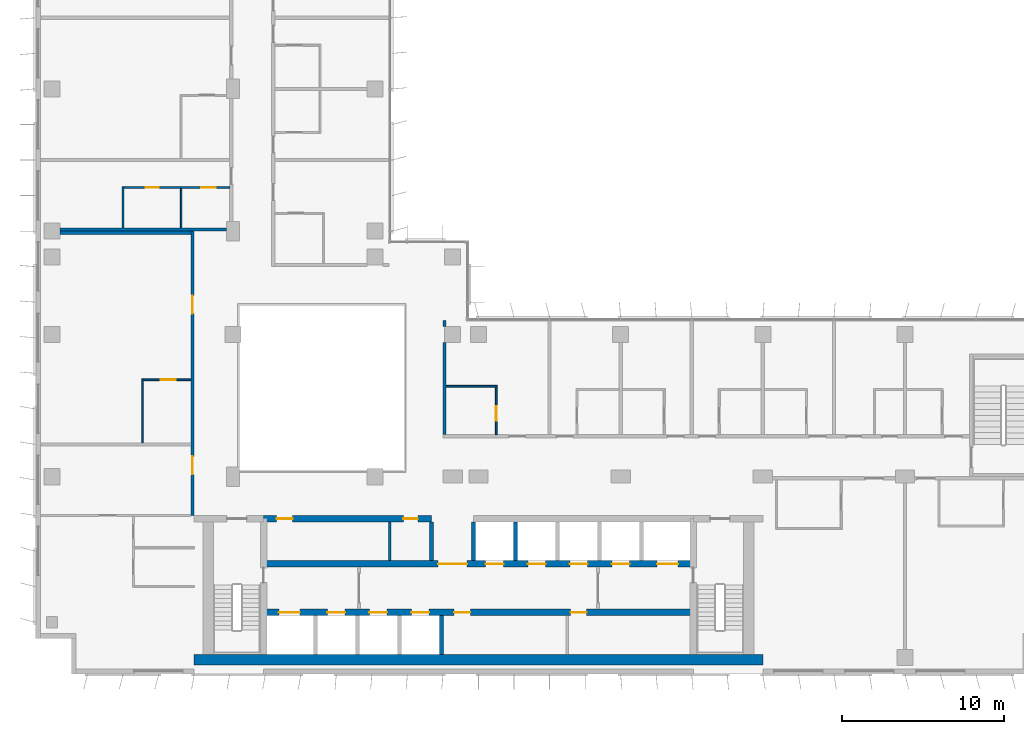
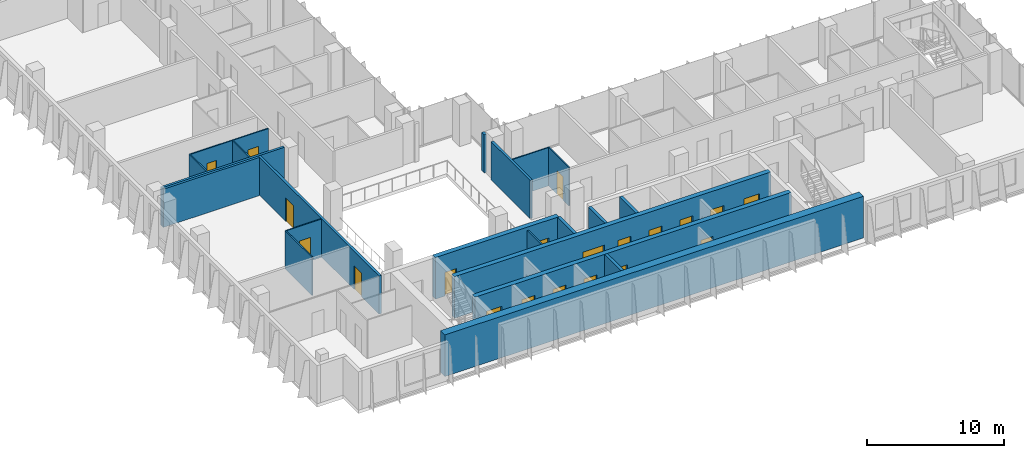
# One storey, part 13 of 21: 21 walls, 20 doors, 20 openings.
"""IFC4 building model written with IfcOpenShell, lengths in metres."""

from ifc_helpers import new_model, si_unit, direction, frame, frame_2d, origin, place, context, subcontext, project, spatial, rectangle, extrude, material, layer, layer_set, type_object, element, fill, save


model = new_model("IFC4")

# Units and contexts
model_context = context("Model", 3, precision=1e-05, world=origin(), true_north=direction((0.0, 1.0)))
body_context = subcontext(model_context, "Body", "Model", "MODEL_VIEW")
ifc_project = project(units=[si_unit("LENGTHUNIT", "METRE"), si_unit("AREAUNIT", "SQUARE_METRE"), si_unit("VOLUMEUNIT", "CUBIC_METRE"), si_unit("PLANEANGLEUNIT", "RADIAN"), si_unit("MASSUNIT", "GRAM", prefix="KILO")], contexts=[model_context])

# Site, building, storey
site_placement = place(None, origin())
site = spatial("IfcSite", under=ifc_project, at=site_placement, CompositionType="ELEMENT")
building_placement = place(site_placement, origin())
building = spatial("IfcBuilding", under=site, at=building_placement, Name="Kemantara Hotel Tower", CompositionType="ELEMENT")
storey_placement = place(building_placement, frame((0.0, 0.0, 215.39990234375)))
storey = spatial("IfcBuildingStorey", under=building, at=storey_placement, Name="L53", CompositionType="ELEMENT", Elevation=215.39990234375)

# Walls
ifc_material_1 = material(Name="Concrete fc 60 MPa", Category="concrete")
ifc_layer_1 = layer(ifc_material_1, 0.25)
ifc_layer_set_1 = layer_set([ifc_layer_1], Name="Concrete fc 60 MPa")
wall_type_1 = type_object("IfcWallType", Name="CORE WALL 250 FC60", PredefinedType="SHEAR", material=ifc_layer_set_1)
wall_1_placement = place(storey_placement, frame((25.10009765625, 1.199951171875, 0.0), z_axis=(0.0, 0.0, 1.0), x_axis=(0.0, 1.0, 0.0)))
element("IfcWall", 1, at=wall_1_placement, inside=storey, type_object=wall_type_1, Name="CORE WALL CW-DS25.1", PredefinedType="SHEAR", context=body_context, shape_type="SweptSolid", body=[
    extrude(rectangle(XDim=2.400146484375, YDim=0.25, at=frame_2d((1.2001953125, 0.0))), origin(), (0.0, 0.0, 1.0), 3.7001953125),
])
for number, where, z_axis, x_axis, name in (
    (2, (24.5, 7.0, 0.0), (0.0, 0.0, 1.0), (0.0, 1.0, 0.0), "CORE WALL CW-DN24.5"),
    (3, (27.10009765625, 7.0, 0.0), (0.0, 0.0, 1.0), (0.0, 1.0, 0.0), "CORE WALL CW-DN27.1"),
    (4, (29.699951171875, 7.0, 0.0), (0.0, 0.0, 1.0), (0.0, 1.0, 0.0), "CORE WALL CW-DN29.7"),
):
    element("IfcWall", number, at=place(storey_placement, frame(where, z_axis=z_axis, x_axis=x_axis)), inside=storey, type_object=wall_type_1, Name=name, PredefinedType="SHEAR", context=body_context, shape_type="SweptSolid", body=[
        extrude(rectangle(XDim=2.39990234375, YDim=0.25, at=frame_2d((1.199951171875, 0.0))), origin(), (0.0, 0.0, 1.0), 3.7001953125),
    ])

# Wall, openings, doors
ifc_layer_2 = layer(ifc_material_1, 0.39990234375)
ifc_layer_set_2 = layer_set([ifc_layer_2], Name="Concrete fc 60 MPa")
wall_type_2 = type_object("IfcWallType", Name="CORE WALL 400 FC60", PredefinedType="SHEAR", material=ifc_layer_set_2)
wall_2_placement = place(storey_placement, frame((14.10009765625, 9.60009765625, 0.0), z_axis=(0.0, 0.0, 1.0), x_axis=(1.0, 0.0, 0.0)))
wall_2 = element("IfcWall", 5, at=wall_2_placement, inside=storey, type_object=wall_type_2, Name="CORE WALL CW-NN1", PredefinedType="SHEAR", context=body_context, shape_type="SweptSolid", body=[
    extrude(rectangle(XDim=10.39990234375, YDim=0.39990234375, at=frame_2d((5.199951171875, 0.0))), origin(), (0.0, 0.0, 1.0), 3.7001953125),
])
opening_1_placement = place(wall_2_placement, frame((0.800048828125, 0.0, 0.0)))
opening_1 = element("IfcOpeningElement", 6, at=opening_1_placement, cuts=wall_2, Name="Opening C33-R-NW1", PredefinedType="OPENING", context=body_context, shape_type="SweptSolid", body=[
    extrude(rectangle(XDim=1.0, YDim=2.10009765625, at=frame_2d((0.5, 1.050048828125))), frame((0.0, 0.2099609375, 0.0), z_axis=(0.0, -1.0, 0.0), x_axis=(1.0, 0.0, 0.0)), (0.0, 0.0, 1.0), 0.419921875),
])
opening_2_placement = place(wall_2_placement, frame((8.64990234375, 0.0, 0.0)))
opening_2 = element("IfcOpeningElement", 7, at=opening_2_placement, cuts=wall_2, Name="Opening C33-R-NW2", PredefinedType="OPENING", context=body_context, shape_type="SweptSolid", body=[
    extrude(rectangle(XDim=0.89990234375, YDim=2.10009765625, at=frame_2d((0.449951171875, 1.050048828125))), frame((0.0, 0.2099609375, 0.0), z_axis=(0.0, -1.0, 0.0), x_axis=(1.0, 0.0, 0.0)), (0.0, 0.0, 1.0), 0.419921875),
])
ifc_material_2 = material(Name="Steel fire door", Category="steel")
door_type_1 = type_object("IfcDoorType", Name="Fire door FD30S 1000 x 2100", OperationType="NOTDEFINED", PredefinedType="DOOR", material=ifc_material_2)
door_1_placement = place(opening_1_placement, frame((1.0, 0.0, 0.0), z_axis=(0.0, 0.0, 1.0), x_axis=(-1.0, 0.0, 0.0)))
door_1 = element("IfcDoor", 8, at=door_1_placement, inside=storey, type_object=door_type_1, Name="Housekeeping Store door", OperationType="SINGLE_SWING_RIGHT", OverallHeight=2.10009765625, OverallWidth=1.0, PredefinedType="DOOR", context=body_context, shape_type="SweptSolid", body=[
    extrude(rectangle(XDim=1.0, YDim=2.10009765625, at=frame_2d((0.5, 1.050048828125))), frame((0.0, 0.02490234375, 0.0), z_axis=(0.0, -1.0, 0.0), x_axis=(1.0, 0.0, 0.0)), (0.0, 0.0, 1.0), 0.050048828125),
])
fill(opening_1, door_1)
door_type_2 = type_object("IfcDoorType", Name="Fire door FD60 900 x 2100", OperationType="NOTDEFINED", PredefinedType="DOOR", material=ifc_material_2)
door_2_placement = place(opening_2_placement, frame((0.89990234375, 0.0, 0.0), z_axis=(0.0, 0.0, 1.0), x_axis=(-1.0, 0.0, 0.0)))
door_2 = element("IfcDoor", 9, at=door_2_placement, inside=storey, type_object=door_type_2, Name="It Equipment Room door", OperationType="SINGLE_SWING_LEFT", OverallHeight=2.10009765625, OverallWidth=0.89990234375, PredefinedType="DOOR", context=body_context, shape_type="SweptSolid", body=[
    extrude(rectangle(XDim=0.89990234375, YDim=2.10009765625, at=frame_2d((0.449951171875, 1.050048828125))), frame((0.0, 0.02490234375, 0.0), z_axis=(0.0, -1.0, 0.0), x_axis=(1.0, 0.0, 0.0)), (0.0, 0.0, 1.0), 0.050048828125),
])
fill(opening_2, door_2)

wall_3_placement = place(storey_placement, frame((14.10009765625, 3.800048828125, 0.0), z_axis=(0.0, 0.0, 1.0), x_axis=(1.0, 0.0, 0.0)))
wall_3 = element("IfcWall", 10, at=wall_3_placement, inside=storey, type_object=wall_type_2, Name="CORE WALL CW-L1", PredefinedType="SHEAR", context=body_context, shape_type="SweptSolid", body=[
    extrude(rectangle(XDim=26.599853515625, YDim=0.39990234375, at=frame_2d((13.2998046875, 0.0))), origin(), (0.0, 0.0, 1.0), 3.7001953125),
])
opening_3_placement = place(wall_3_placement, frame((0.949951171875, 0.0, 0.0)))
opening_3 = element("IfcOpeningElement", 11, at=opening_3_placement, cuts=wall_3, Name="Opening C33-LD-FF1", PredefinedType="OPENING", context=body_context, shape_type="SweptSolid", body=[
    extrude(rectangle(XDim=1.300048828125, YDim=2.10009765625, at=frame_2d((0.64990234375, 1.050048828125))), frame((0.0, 0.2099609375, 0.0), z_axis=(0.0, -1.0, 0.0), x_axis=(1.0, 0.0, 0.0)), (0.0, 0.0, 1.0), 0.419921875),
])
opening_4_placement = place(wall_3_placement, frame((3.949951171875, 0.0, 0.0)))
opening_4 = element("IfcOpeningElement", 12, at=opening_4_placement, cuts=wall_3, Name="Opening C33-LD-SV1", PredefinedType="OPENING", context=body_context, shape_type="SweptSolid", body=[
    extrude(rectangle(XDim=1.10009765625, YDim=2.10009765625, at=frame_2d((0.550048828125, 1.050048828125))), frame((0.0, 0.2099609375, 0.0), z_axis=(0.0, -1.0, 0.0), x_axis=(1.0, 0.0, 0.0)), (0.0, 0.0, 1.0), 0.419921875),
])
opening_5_placement = place(wall_3_placement, frame((6.550048828125, 0.0, 0.0)))
opening_5 = element("IfcOpeningElement", 13, at=opening_5_placement, cuts=wall_3, Name="Opening C33-LD-SV2", PredefinedType="OPENING", context=body_context, shape_type="SweptSolid", body=[
    extrude(rectangle(XDim=1.10009765625, YDim=2.10009765625, at=frame_2d((0.550048828125, 1.050048828125))), frame((0.0, 0.2099609375, 0.0), z_axis=(0.0, -1.0, 0.0), x_axis=(1.0, 0.0, 0.0)), (0.0, 0.0, 1.0), 0.419921875),
])
opening_6_placement = place(wall_3_placement, frame((9.14990234375, 0.0, 0.0)))
opening_6 = element("IfcOpeningElement", 14, at=opening_6_placement, cuts=wall_3, Name="Opening C33-LD-SV3", PredefinedType="OPENING", context=body_context, shape_type="SweptSolid", body=[
    extrude(rectangle(XDim=1.10009765625, YDim=2.10009765625, at=frame_2d((0.550048828125, 1.050048828125))), frame((0.0, 0.2099609375, 0.0), z_axis=(0.0, -1.0, 0.0), x_axis=(1.0, 0.0, 0.0)), (0.0, 0.0, 1.0), 0.419921875),
])
opening_7_placement = place(wall_3_placement, frame((11.800048828125, 0.0, 0.0)))
opening_7 = element("IfcOpeningElement", 15, at=opening_7_placement, cuts=wall_3, Name="Opening C33-R-SM1", PredefinedType="OPENING", context=body_context, shape_type="SweptSolid", body=[
    extrude(rectangle(XDim=1.0, YDim=2.10009765625, at=frame_2d((0.5, 1.050048828125))), frame((0.0, 0.2099609375, 0.0), z_axis=(0.0, -1.0, 0.0), x_axis=(1.0, 0.0, 0.0)), (0.0, 0.0, 1.0), 0.419921875),
])
opening_8_placement = place(wall_3_placement, frame((19.0, 0.0, 0.0)))
opening_8 = element("IfcOpeningElement", 16, at=opening_8_placement, cuts=wall_3, Name="Opening C33-R-SM2", PredefinedType="OPENING", context=body_context, shape_type="SweptSolid", body=[
    extrude(rectangle(XDim=1.0, YDim=2.10009765625, at=frame_2d((0.5, 1.050048828125))), frame((0.0, 0.2099609375, 0.0), z_axis=(0.0, -1.0, 0.0), x_axis=(1.0, 0.0, 0.0)), (0.0, 0.0, 1.0), 0.419921875),
])
door_3_placement = place(opening_7_placement, frame((1.0, 0.0, 0.0), z_axis=(0.0, 0.0, 1.0), x_axis=(-1.0, 0.0, 0.0)))
door_3 = element("IfcDoor", 17, at=door_3_placement, inside=storey, type_object=door_type_1, Name="Luggage Store door", OperationType="SINGLE_SWING_RIGHT", OverallHeight=2.10009765625, OverallWidth=1.0, PredefinedType="DOOR", context=body_context, shape_type="SweptSolid", body=[
    extrude(rectangle(XDim=1.0, YDim=2.10009765625, at=frame_2d((0.5, 1.050048828125))), frame((0.0, 0.02490234375, 0.0), z_axis=(0.0, -1.0, 0.0), x_axis=(1.0, 0.0, 0.0)), (0.0, 0.0, 1.0), 0.050048828125),
])
fill(opening_7, door_3)
door_4_placement = place(opening_8_placement, frame((1.0, 0.0, 0.0), z_axis=(0.0, 0.0, 1.0), x_axis=(-1.0, 0.0, 0.0)))
door_4 = element("IfcDoor", 18, at=door_4_placement, inside=storey, type_object=door_type_1, Name="Guest Pantry door", OperationType="SINGLE_SWING_LEFT", OverallHeight=2.10009765625, OverallWidth=1.0, PredefinedType="DOOR", context=body_context, shape_type="SweptSolid", body=[
    extrude(rectangle(XDim=1.0, YDim=2.10009765625, at=frame_2d((0.5, 1.050048828125))), frame((0.0, 0.02490234375, 0.0), z_axis=(0.0, -1.0, 0.0), x_axis=(1.0, 0.0, 0.0)), (0.0, 0.0, 1.0), 0.050048828125),
])
fill(opening_8, door_4)
ifc_material_3 = material(Name="Stainless steel lift door", Category="steel")
door_type_3 = type_object("IfcDoorType", Name="Lift landing door 1100 x 2100 FD60", OperationType="DOUBLE_DOOR_SLIDING", PredefinedType="DOOR", material=ifc_material_3)
door_5_placement = place(opening_4_placement, origin())
door_5 = element("IfcDoor", 19, at=door_5_placement, inside=storey, type_object=door_type_3, Name="Lift SV1 landing door", OperationType="DOUBLE_DOOR_SLIDING", OverallHeight=2.10009765625, OverallWidth=1.10009765625, PredefinedType="DOOR", context=body_context, shape_type="SweptSolid", body=[
    extrude(rectangle(XDim=1.10009765625, YDim=2.10009765625, at=frame_2d((0.550048828125, 1.050048828125))), frame((0.0, 0.02490234375, 0.0), z_axis=(0.0, -1.0, 0.0), x_axis=(1.0, 0.0, 0.0)), (0.0, 0.0, 1.0), 0.050048828125),
])
fill(opening_4, door_5)
door_6_placement = place(opening_5_placement, origin())
door_6 = element("IfcDoor", 20, at=door_6_placement, inside=storey, type_object=door_type_3, Name="Lift SV2 landing door", OperationType="DOUBLE_DOOR_SLIDING", OverallHeight=2.10009765625, OverallWidth=1.10009765625, PredefinedType="DOOR", context=body_context, shape_type="SweptSolid", body=[
    extrude(rectangle(XDim=1.10009765625, YDim=2.10009765625, at=frame_2d((0.550048828125, 1.050048828125))), frame((0.0, 0.02490234375, 0.0), z_axis=(0.0, -1.0, 0.0), x_axis=(1.0, 0.0, 0.0)), (0.0, 0.0, 1.0), 0.050048828125),
])
fill(opening_5, door_6)
door_7_placement = place(opening_6_placement, origin())
door_7 = element("IfcDoor", 21, at=door_7_placement, inside=storey, type_object=door_type_3, Name="Lift SV3 landing door", OperationType="DOUBLE_DOOR_SLIDING", OverallHeight=2.10009765625, OverallWidth=1.10009765625, PredefinedType="DOOR", context=body_context, shape_type="SweptSolid", body=[
    extrude(rectangle(XDim=1.10009765625, YDim=2.10009765625, at=frame_2d((0.550048828125, 1.050048828125))), frame((0.0, 0.02490234375, 0.0), z_axis=(0.0, -1.0, 0.0), x_axis=(1.0, 0.0, 0.0)), (0.0, 0.0, 1.0), 0.050048828125),
])
fill(opening_6, door_7)
door_type_4 = type_object("IfcDoorType", Name="Lift landing door 1300 x 2100 FD90", OperationType="DOUBLE_DOOR_SLIDING", PredefinedType="DOOR", material=ifc_material_3)
door_8_placement = place(opening_3_placement, origin())
door_8 = element("IfcDoor", 22, at=door_8_placement, inside=storey, type_object=door_type_4, Name="Lift FF1 landing door", OperationType="DOUBLE_DOOR_SLIDING", OverallHeight=2.10009765625, OverallWidth=1.300048828125, PredefinedType="DOOR", context=body_context, shape_type="SweptSolid", body=[
    extrude(rectangle(XDim=1.300048828125, YDim=2.10009765625, at=frame_2d((0.64990234375, 1.050048828125))), frame((0.0, 0.02490234375, 0.0), z_axis=(0.0, -1.0, 0.0), x_axis=(1.0, 0.0, 0.0)), (0.0, 0.0, 1.0), 0.050048828125),
])
fill(opening_3, door_8)

wall_4_placement = place(storey_placement, frame((14.10009765625, 6.800048828125, 0.0), z_axis=(0.0, 0.0, 1.0), x_axis=(1.0, 0.0, 0.0)))
wall_4 = element("IfcWall", 23, at=wall_4_placement, inside=storey, type_object=wall_type_2, Name="CORE WALL CW-L2", PredefinedType="SHEAR", context=body_context, shape_type="SweptSolid", body=[
    extrude(rectangle(XDim=26.599853515625, YDim=0.39990234375, at=frame_2d((13.2998046875, 0.0))), origin(), (0.0, 0.0, 1.0), 3.7001953125),
])
opening_9_placement = place(wall_4_placement, frame((10.800048828125, 0.0, 0.0)))
opening_9 = element("IfcOpeningElement", 24, at=opening_9_placement, cuts=wall_4, Name="Opening C33-VL", PredefinedType="OPENING", context=body_context, shape_type="SweptSolid", body=[
    extrude(rectangle(XDim=1.800048828125, YDim=2.10009765625, at=frame_2d((0.89990234375, 1.050048828125))), frame((0.0, 0.2099609375, 0.0), z_axis=(0.0, -1.0, 0.0), x_axis=(1.0, 0.0, 0.0)), (0.0, 0.0, 1.0), 0.419921875),
])
opening_10_placement = place(wall_4_placement, frame((13.75, 0.0, 0.0)))
opening_10 = element("IfcOpeningElement", 25, at=opening_10_placement, cuts=wall_4, Name="Opening C33-LD-HR1", PredefinedType="OPENING", context=body_context, shape_type="SweptSolid", body=[
    extrude(rectangle(XDim=1.10009765625, YDim=2.10009765625, at=frame_2d((0.550048828125, 1.050048828125))), frame((0.0, 0.2099609375, 0.0), z_axis=(0.0, -1.0, 0.0), x_axis=(1.0, 0.0, 0.0)), (0.0, 0.0, 1.0), 0.419921875),
])
opening_11_placement = place(wall_4_placement, frame((16.35009765625, 0.0, 0.0)))
opening_11 = element("IfcOpeningElement", 26, at=opening_11_placement, cuts=wall_4, Name="Opening C33-LD-HR2", PredefinedType="OPENING", context=body_context, shape_type="SweptSolid", body=[
    extrude(rectangle(XDim=1.10009765625, YDim=2.10009765625, at=frame_2d((0.550048828125, 1.050048828125))), frame((0.0, 0.2099609375, 0.0), z_axis=(0.0, -1.0, 0.0), x_axis=(1.0, 0.0, 0.0)), (0.0, 0.0, 1.0), 0.419921875),
])
opening_12_placement = place(wall_4_placement, frame((18.949951171875, 0.0, 0.0)))
opening_12 = element("IfcOpeningElement", 27, at=opening_12_placement, cuts=wall_4, Name="Opening C33-LD-HR3", PredefinedType="OPENING", context=body_context, shape_type="SweptSolid", body=[
    extrude(rectangle(XDim=1.10009765625, YDim=2.10009765625, at=frame_2d((0.550048828125, 1.050048828125))), frame((0.0, 0.2099609375, 0.0), z_axis=(0.0, -1.0, 0.0), x_axis=(1.0, 0.0, 0.0)), (0.0, 0.0, 1.0), 0.419921875),
])
opening_13_placement = place(wall_4_placement, frame((21.550048828125, 0.0, 0.0)))
opening_13 = element("IfcOpeningElement", 28, at=opening_13_placement, cuts=wall_4, Name="Opening C33-LD-HR4", PredefinedType="OPENING", context=body_context, shape_type="SweptSolid", body=[
    extrude(rectangle(XDim=1.10009765625, YDim=2.10009765625, at=frame_2d((0.550048828125, 1.050048828125))), frame((0.0, 0.2099609375, 0.0), z_axis=(0.0, -1.0, 0.0), x_axis=(1.0, 0.0, 0.0)), (0.0, 0.0, 1.0), 0.419921875),
])
opening_14_placement = place(wall_4_placement, frame((24.35009765625, 0.0, 0.0)))
opening_14 = element("IfcOpeningElement", 29, at=opening_14_placement, cuts=wall_4, Name="Opening C33-LD-FF2", PredefinedType="OPENING", context=body_context, shape_type="SweptSolid", body=[
    extrude(rectangle(XDim=1.300048828125, YDim=2.10009765625, at=frame_2d((0.64990234375, 1.050048828125))), frame((0.0, 0.2099609375, 0.0), z_axis=(0.0, -1.0, 0.0), x_axis=(1.0, 0.0, 0.0)), (0.0, 0.0, 1.0), 0.419921875),
])
door_type_5 = type_object("IfcDoorType", Name="Fire door pair FD60 1800 x 2100", OperationType="DOUBLE_DOOR_SINGLE_SWING", PredefinedType="DOOR", material=ifc_material_2)
door_9_placement = place(opening_9_placement, frame((1.800048828125, 0.0, 0.0), z_axis=(0.0, 0.0, 1.0), x_axis=(-1.0, 0.0, 0.0)))
door_9 = element("IfcDoor", 30, at=door_9_placement, inside=storey, type_object=door_type_5, Name="Lift lobby entry door", OperationType="DOUBLE_DOOR_SINGLE_SWING", OverallHeight=2.10009765625, OverallWidth=1.800048828125, PredefinedType="DOOR", context=body_context, shape_type="SweptSolid", body=[
    extrude(rectangle(XDim=1.800048828125, YDim=2.10009765625, at=frame_2d((0.89990234375, 1.050048828125))), frame((0.0, 0.02490234375, 0.0), z_axis=(0.0, -1.0, 0.0), x_axis=(1.0, 0.0, 0.0)), (0.0, 0.0, 1.0), 0.050048828125),
])
fill(opening_9, door_9)
door_10_placement = place(opening_10_placement, origin())
door_10 = element("IfcDoor", 31, at=door_10_placement, inside=storey, type_object=door_type_3, Name="Lift HR1 landing door", OperationType="DOUBLE_DOOR_SLIDING", OverallHeight=2.10009765625, OverallWidth=1.10009765625, PredefinedType="DOOR", context=body_context, shape_type="SweptSolid", body=[
    extrude(rectangle(XDim=1.10009765625, YDim=2.10009765625, at=frame_2d((0.550048828125, 1.050048828125))), frame((0.0, 0.02490234375, 0.0), z_axis=(0.0, -1.0, 0.0), x_axis=(1.0, 0.0, 0.0)), (0.0, 0.0, 1.0), 0.050048828125),
])
fill(opening_10, door_10)
door_11_placement = place(opening_11_placement, origin())
door_11 = element("IfcDoor", 32, at=door_11_placement, inside=storey, type_object=door_type_3, Name="Lift HR2 landing door", OperationType="DOUBLE_DOOR_SLIDING", OverallHeight=2.10009765625, OverallWidth=1.10009765625, PredefinedType="DOOR", context=body_context, shape_type="SweptSolid", body=[
    extrude(rectangle(XDim=1.10009765625, YDim=2.10009765625, at=frame_2d((0.550048828125, 1.050048828125))), frame((0.0, 0.02490234375, 0.0), z_axis=(0.0, -1.0, 0.0), x_axis=(1.0, 0.0, 0.0)), (0.0, 0.0, 1.0), 0.050048828125),
])
fill(opening_11, door_11)
door_12_placement = place(opening_12_placement, origin())
door_12 = element("IfcDoor", 33, at=door_12_placement, inside=storey, type_object=door_type_3, Name="Lift HR3 landing door", OperationType="DOUBLE_DOOR_SLIDING", OverallHeight=2.10009765625, OverallWidth=1.10009765625, PredefinedType="DOOR", context=body_context, shape_type="SweptSolid", body=[
    extrude(rectangle(XDim=1.10009765625, YDim=2.10009765625, at=frame_2d((0.550048828125, 1.050048828125))), frame((0.0, 0.02490234375, 0.0), z_axis=(0.0, -1.0, 0.0), x_axis=(1.0, 0.0, 0.0)), (0.0, 0.0, 1.0), 0.050048828125),
])
fill(opening_12, door_12)
door_13_placement = place(opening_13_placement, origin())
door_13 = element("IfcDoor", 34, at=door_13_placement, inside=storey, type_object=door_type_3, Name="Lift HR4 landing door", OperationType="DOUBLE_DOOR_SLIDING", OverallHeight=2.10009765625, OverallWidth=1.10009765625, PredefinedType="DOOR", context=body_context, shape_type="SweptSolid", body=[
    extrude(rectangle(XDim=1.10009765625, YDim=2.10009765625, at=frame_2d((0.550048828125, 1.050048828125))), frame((0.0, 0.02490234375, 0.0), z_axis=(0.0, -1.0, 0.0), x_axis=(1.0, 0.0, 0.0)), (0.0, 0.0, 1.0), 0.050048828125),
])
fill(opening_13, door_13)
door_14_placement = place(opening_14_placement, origin())
door_14 = element("IfcDoor", 35, at=door_14_placement, inside=storey, type_object=door_type_4, Name="Lift FF2 landing door", OperationType="DOUBLE_DOOR_SLIDING", OverallHeight=2.10009765625, OverallWidth=1.300048828125, PredefinedType="DOOR", context=body_context, shape_type="SweptSolid", body=[
    extrude(rectangle(XDim=1.300048828125, YDim=2.10009765625, at=frame_2d((0.64990234375, 1.050048828125))), frame((0.0, 0.02490234375, 0.0), z_axis=(0.0, -1.0, 0.0), x_axis=(1.0, 0.0, 0.0)), (0.0, 0.0, 1.0), 0.050048828125),
])
fill(opening_14, door_14)

# Wall
ifc_layer_3 = layer(ifc_material_1, 0.64990234375)
ifc_layer_set_3 = layer_set([ifc_layer_3], Name="Concrete fc 60 MPa")
wall_type_3 = type_object("IfcWallType", Name="CORE WALL 650 FC60", PredefinedType="SHEAR", material=ifc_layer_set_3)
wall_5_placement = place(storey_placement, frame((9.800048828125, 0.875, 0.0), z_axis=(0.0, 0.0, 1.0), x_axis=(1.0, 0.0, 0.0)))
element("IfcWall", 36, at=wall_5_placement, inside=storey, type_object=wall_type_3, Name="CORE WALL CW-S", PredefinedType="SHEAR", context=body_context, shape_type="SweptSolid", body=[
    extrude(rectangle(XDim=35.199951171875, YDim=0.64990234375, at=frame_2d((17.60009765625, 0.0))), origin(), (0.0, 0.0, 1.0), 3.7001953125),
])

# Wall, openings, doors
ifc_material_4 = material(Name="Gypsum board partition, steel studs and mineral wool, 200 mm", Category="steel")
ifc_layer_4 = layer(ifc_material_4, 0.199951171875)
ifc_layer_set_4 = layer_set([ifc_layer_4], Name="Gypsum board partition, steel studs and mineral wool, 200 mm")
wall_type_4 = type_object("IfcWallType", Name="CORRIDOR WALL 200", PredefinedType="PARTITIONING", material=ifc_layer_set_4)
wall_6_placement = place(storey_placement, frame((9.699951171875, 9.800048828125, 0.0), z_axis=(0.0, 0.0, 1.0), x_axis=(0.0, 1.0, 0.0)))
wall_6 = element("IfcWall", 37, at=wall_6_placement, inside=storey, type_object=wall_type_4, Name="CORRIDOR WALL 200 014", PredefinedType="PARTITIONING", context=body_context, shape_type="SweptSolid", body=[
    extrude(rectangle(XDim=17.599853515625, YDim=0.199951171875, at=frame_2d((8.7998046875, 0.0))), origin(), (0.0, 0.0, 1.0), 3.400146484375),
])
opening_15_placement = place(wall_6_placement, frame((2.550048828125, 0.0, 0.0)))
opening_15 = element("IfcOpeningElement", 38, at=opening_15_placement, cuts=wall_6, Name="Opening F26-019", PredefinedType="OPENING", context=body_context, shape_type="SweptSolid", body=[
    extrude(rectangle(XDim=1.10009765625, YDim=2.10009765625, at=frame_2d((0.550048828125, 1.050048828125))), frame((0.0, 0.10986328125, 0.0), z_axis=(0.0, -1.0, 0.0), x_axis=(1.0, 0.0, 0.0)), (0.0, 0.0, 1.0), 0.219970703125),
])
opening_16_placement = place(wall_6_placement, frame((12.5, 0.0, 0.0)))
opening_16 = element("IfcOpeningElement", 39, at=opening_16_placement, cuts=wall_6, Name="Opening F26-023", PredefinedType="OPENING", context=body_context, shape_type="SweptSolid", body=[
    extrude(rectangle(XDim=1.10009765625, YDim=2.10009765625, at=frame_2d((0.550048828125, 1.050048828125))), frame((0.0, 0.10986328125, 0.0), z_axis=(0.0, -1.0, 0.0), x_axis=(1.0, 0.0, 0.0)), (0.0, 0.0, 1.0), 0.219970703125),
])
ifc_material_5 = material(Name="Hardwood veneer door leaf with steel frame", Category="steel")
door_type_6 = type_object("IfcDoorType", Name="SUITE ENTRANCE DOOR 1100 X 2100 FD30S", OperationType="NOTDEFINED", PredefinedType="DOOR", material=ifc_material_5)
door_15_placement = place(opening_15_placement, origin())
door_15 = element("IfcDoor", 40, at=door_15_placement, inside=storey, type_object=door_type_6, Name="SUITE ENTRANCE DOOR F26-019", OperationType="SINGLE_SWING_RIGHT", OverallHeight=2.10009765625, OverallWidth=1.10009765625, PredefinedType="DOOR", context=body_context, shape_type="SweptSolid", body=[
    extrude(rectangle(XDim=1.10009765625, YDim=2.10009765625, at=frame_2d((0.550048828125, 1.050048828125))), frame((0.0, 0.02490234375, 0.0), z_axis=(0.0, -1.0, 0.0), x_axis=(1.0, 0.0, 0.0)), (0.0, 0.0, 1.0), 0.050048828125),
])
fill(opening_15, door_15)
door_16_placement = place(opening_16_placement, origin())
door_16 = element("IfcDoor", 41, at=door_16_placement, inside=storey, type_object=door_type_6, Name="SUITE ENTRANCE DOOR F26-023", OperationType="SINGLE_SWING_RIGHT", OverallHeight=2.10009765625, OverallWidth=1.10009765625, PredefinedType="DOOR", context=body_context, shape_type="SweptSolid", body=[
    extrude(rectangle(XDim=1.10009765625, YDim=2.10009765625, at=frame_2d((0.550048828125, 1.050048828125))), frame((0.0, 0.02490234375, 0.0), z_axis=(0.0, -1.0, 0.0), x_axis=(1.0, 0.0, 0.0)), (0.0, 0.0, 1.0), 0.050048828125),
])
fill(opening_16, door_16)

# Walls
ifc_layer_5 = layer(ifc_material_4, 0.199951171875)
ifc_layer_set_5 = layer_set([ifc_layer_5], Name="Gypsum board partition, steel studs and mineral wool, 200 mm")
wall_type_5 = type_object("IfcWallType", Name="GUEST ROOM PARTY WALL 200", PredefinedType="PARTITIONING", material=ifc_layer_set_5)
wall_7_placement = place(storey_placement, frame((25.300048828125, 14.800048828125, 0.0), z_axis=(0.0, 0.0, 1.0), x_axis=(0.0, 1.0, 0.0)))
element("IfcWall", 42, at=wall_7_placement, inside=storey, type_object=wall_type_5, Name="GUEST ROOM PARTY WALL 200 007", PredefinedType="PARTITIONING", context=body_context, shape_type="SweptSolid", body=[
    extrude(rectangle(XDim=5.699951171875, YDim=0.199951171875, at=frame_2d((2.85009765625, 0.0))), origin(), (0.0, 0.0, 1.0), 3.400146484375),
])
wall_8_placement = place(storey_placement, frame((25.300048828125, 21.5, 0.0), z_axis=(0.0, 0.0, 1.0), x_axis=(0.0, 1.0, 0.0)))
element("IfcWall", 43, at=wall_8_placement, inside=storey, type_object=wall_type_5, Name="GUEST ROOM PARTY WALL 200 008", PredefinedType="PARTITIONING", context=body_context, shape_type="SweptSolid", body=[
    extrude(rectangle(XDim=0.3701171875, YDim=0.199951171875, at=frame_2d((0.18505859375, 0.0))), origin(), (0.0, 0.0, 1.0), 3.400146484375),
])
wall_9_placement = place(storey_placement, frame((1.5, 27.300048828125, 0.0), z_axis=(0.0, 0.0, 1.0), x_axis=(1.0, 0.0, 0.0)))
element("IfcWall", 44, at=wall_9_placement, inside=storey, type_object=wall_type_5, Name="GUEST ROOM PARTY WALL 200 016", PredefinedType="PARTITIONING", context=body_context, shape_type="SweptSolid", body=[
    extrude(rectangle(XDim=8.10009765625, YDim=0.199951171875, at=frame_2d((4.050048828125, 0.0))), origin(), (0.0, 0.0, 1.0), 3.400146484375),
])
wall_10_placement = place(storey_placement, frame((1.5, 27.5, 0.0), z_axis=(0.0, 0.0, 1.0), x_axis=(1.0, 0.0, 0.0)))
element("IfcWall", 45, at=wall_10_placement, inside=storey, type_object=wall_type_5, Name="GUEST ROOM PARTY WALL 200 021", PredefinedType="PARTITIONING", context=body_context, shape_type="SweptSolid", body=[
    extrude(rectangle(XDim=10.2998046875, YDim=0.199951171875, at=frame_2d((5.14990234375, 0.0))), origin(), (0.0, 0.0, 1.0), 3.400146484375),
])
ifc_material_6 = material(Name="Gypsum board partition")
ifc_layer_6 = layer(ifc_material_6, 0.14990234375)
ifc_layer_set_6 = layer_set([ifc_layer_6], Name="Gypsum board partition")
wall_type_6 = type_object("IfcWallType", Name="Gypsum board partition 150 mm", PredefinedType="PARTITIONING", material=ifc_layer_set_6)
wall_11_placement = place(storey_placement, frame((21.89990234375, 7.0, 0.0), z_axis=(0.0, 0.0, 1.0), x_axis=(0.0, 1.0, 0.0)))
element("IfcWall", 46, at=wall_11_placement, inside=storey, type_object=wall_type_6, Name="Core room partition", PredefinedType="PARTITIONING", context=body_context, shape_type="SweptSolid", body=[
    extrude(rectangle(XDim=2.39990234375, YDim=0.14990234375, at=frame_2d((1.199951171875, 0.0))), origin(), (0.0, 0.0, 1.0), 3.400146484375),
])
ifc_material_7 = material(Name="Gypsum board partition on steel studs, 100 mm", Category="steel")
ifc_layer_7 = layer(ifc_material_7, 0.10009765625)
ifc_layer_set_7 = layer_set([ifc_layer_7], Name="Gypsum board partition on steel studs, 100 mm")
wall_type_7 = type_object("IfcWallType", Name="ROOM PARTITION 100", PredefinedType="PARTITIONING", material=ifc_layer_set_7)
wall_12_placement = place(storey_placement, frame((25.39990234375, 17.800048828125, 0.0), z_axis=(0.0, 0.0, 1.0), x_axis=(1.0, 0.0, 0.0)))
element("IfcWall", 47, at=wall_12_placement, inside=storey, type_object=wall_type_7, Name="ROOM PARTITION 100 040", PredefinedType="PARTITIONING", context=body_context, shape_type="SweptSolid", body=[
    extrude(rectangle(XDim=3.150146484375, YDim=0.10009765625, at=frame_2d((1.5751953125, 0.0))), origin(), (0.0, 0.0, 1.0), 3.400146484375),
])

# Wall, opening, door
wall_13_placement = place(storey_placement, frame((28.5, 14.800048828125, 0.0), z_axis=(0.0, 0.0, 1.0), x_axis=(0.0, 1.0, 0.0)))
wall_13 = element("IfcWall", 48, at=wall_13_placement, inside=storey, type_object=wall_type_7, Name="ROOM PARTITION 100 041", PredefinedType="PARTITIONING", context=body_context, shape_type="SweptSolid", body=[
    extrude(rectangle(XDim=2.949951171875, YDim=0.10009765625, at=frame_2d((1.47509765625, 0.0))), origin(), (0.0, 0.0, 1.0), 3.400146484375),
])
opening_17_placement = place(wall_13_placement, frame((0.85009765625, 0.0, 0.0)))
opening_17 = element("IfcOpeningElement", 49, at=opening_17_placement, cuts=wall_13, Name="Opening F26-006", PredefinedType="OPENING", context=body_context, shape_type="SweptSolid", body=[
    extrude(rectangle(XDim=0.89990234375, YDim=2.10009765625, at=frame_2d((0.449951171875, 1.050048828125))), frame((0.0, 0.06005859375, 0.0), z_axis=(0.0, -1.0, 0.0), x_axis=(1.0, 0.0, 0.0)), (0.0, 0.0, 1.0), 0.1201171875),
])
door_type_7 = type_object("IfcDoorType", Name="BATHROOM DOOR 900 X 2100", OperationType="NOTDEFINED", PredefinedType="DOOR", material=ifc_material_5)
door_17_placement = place(opening_17_placement, origin())
door_17 = element("IfcDoor", 50, at=door_17_placement, inside=storey, type_object=door_type_7, Name="BATHROOM DOOR F26-006", OperationType="SINGLE_SWING_LEFT", OverallHeight=2.10009765625, OverallWidth=0.89990234375, PredefinedType="DOOR", context=body_context, shape_type="SweptSolid", body=[
    extrude(rectangle(XDim=0.89990234375, YDim=2.10009765625, at=frame_2d((0.449951171875, 1.050048828125))), frame((0.0, 0.02490234375, 0.0), z_axis=(0.0, -1.0, 0.0), x_axis=(1.0, 0.0, 0.0)), (0.0, 0.0, 1.0), 0.050048828125),
])
fill(opening_17, door_17)

# Wall
wall_14_placement = place(storey_placement, frame((6.60009765625, 14.300048828125, 0.0), z_axis=(0.0, 0.0, 1.0), x_axis=(0.0, 1.0, 0.0)))
element("IfcWall", 51, at=wall_14_placement, inside=storey, type_object=wall_type_7, Name="ROOM PARTITION 100 058", PredefinedType="PARTITIONING", context=body_context, shape_type="SweptSolid", body=[
    extrude(rectangle(XDim=3.949951171875, YDim=0.10009765625, at=frame_2d((1.97509765625, 0.0))), origin(), (0.0, 0.0, 1.0), 3.400146484375),
])

# Wall, opening, door
wall_15_placement = place(storey_placement, frame((9.60009765625, 18.199951171875, 0.0), z_axis=(0.0, 0.0, 1.0), x_axis=(-1.0, 0.0, 0.0)))
wall_15 = element("IfcWall", 52, at=wall_15_placement, inside=storey, type_object=wall_type_7, Name="ROOM PARTITION 100 059", PredefinedType="PARTITIONING", context=body_context, shape_type="SweptSolid", body=[
    extrude(rectangle(XDim=2.9501953125, YDim=0.10009765625, at=frame_2d((1.47509765625, 0.0))), origin(), (0.0, 0.0, 1.0), 3.400146484375),
])
opening_18_placement = place(wall_15_placement, frame((0.949951171875, 0.0, 0.0)))
opening_18 = element("IfcOpeningElement", 53, at=opening_18_placement, cuts=wall_15, Name="Opening F26-024", PredefinedType="OPENING", context=body_context, shape_type="SweptSolid", body=[
    extrude(rectangle(XDim=0.89990234375, YDim=2.10009765625, at=frame_2d((0.449951171875, 1.050048828125))), frame((0.0, 0.06005859375, 0.0), z_axis=(0.0, -1.0, 0.0), x_axis=(1.0, 0.0, 0.0)), (0.0, 0.0, 1.0), 0.1201171875),
])
door_18_placement = place(opening_18_placement, origin())
door_18 = element("IfcDoor", 54, at=door_18_placement, inside=storey, type_object=door_type_7, Name="BATHROOM DOOR F26-024", OperationType="SINGLE_SWING_LEFT", OverallHeight=2.10009765625, OverallWidth=0.89990234375, PredefinedType="DOOR", context=body_context, shape_type="SweptSolid", body=[
    extrude(rectangle(XDim=0.89990234375, YDim=2.10009765625, at=frame_2d((0.449951171875, 1.050048828125))), frame((0.0, 0.02490234375, 0.0), z_axis=(0.0, -1.0, 0.0), x_axis=(1.0, 0.0, 0.0)), (0.0, 0.0, 1.0), 0.050048828125),
])
fill(opening_18, door_18)

# Walls
wall_16_placement = place(storey_placement, frame((5.39990234375, 27.60009765625, 0.0), z_axis=(0.0, 0.0, 1.0), x_axis=(0.0, 1.0, 0.0)))
element("IfcWall", 55, at=wall_16_placement, inside=storey, type_object=wall_type_7, Name="ROOM PARTITION 100 060", PredefinedType="PARTITIONING", context=body_context, shape_type="SweptSolid", body=[
    extrude(rectangle(XDim=2.5498046875, YDim=0.10009765625, at=frame_2d((1.27490234375, 0.0))), origin(), (0.0, 0.0, 1.0), 3.400146484375),
])
wall_17_placement = place(storey_placement, frame((9.0, 27.60009765625, 0.0), z_axis=(0.0, 0.0, 1.0), x_axis=(0.0, 1.0, 0.0)))
element("IfcWall", 56, at=wall_17_placement, inside=storey, type_object=wall_type_7, Name="ROOM PARTITION 100 061", PredefinedType="PARTITIONING", context=body_context, shape_type="SweptSolid", body=[
    extrude(rectangle(XDim=2.449951171875, YDim=0.10009765625, at=frame_2d((1.22509765625, 0.0))), origin(), (0.0, 0.0, 1.0), 3.400146484375),
])

# Wall, openings, doors
wall_18_placement = place(storey_placement, frame((12.0, 30.10009765625, 0.0), z_axis=(0.0, 0.0, 1.0), x_axis=(-1.0, 0.0, 0.0)))
wall_18 = element("IfcWall", 57, at=wall_18_placement, inside=storey, type_object=wall_type_7, Name="ROOM PARTITION 100 063", PredefinedType="PARTITIONING", context=body_context, shape_type="SweptSolid", body=[
    extrude(rectangle(XDim=6.550048828125, YDim=0.10009765625, at=frame_2d((3.27490234375, 0.0))), origin(), (0.0, 0.0, 1.0), 3.400146484375),
])
opening_19_placement = place(wall_18_placement, frame((0.85009765625, 0.0, 0.0)))
opening_19 = element("IfcOpeningElement", 58, at=opening_19_placement, cuts=wall_18, Name="Opening F26-026", PredefinedType="OPENING", context=body_context, shape_type="SweptSolid", body=[
    extrude(rectangle(XDim=0.89990234375, YDim=2.10009765625, at=frame_2d((0.449951171875, 1.050048828125))), frame((0.0, 0.06005859375, 0.0), z_axis=(0.0, -1.0, 0.0), x_axis=(1.0, 0.0, 0.0)), (0.0, 0.0, 1.0), 0.1201171875),
])
opening_20_placement = place(wall_18_placement, frame((4.39990234375, 0.0, 0.0)))
opening_20 = element("IfcOpeningElement", 59, at=opening_20_placement, cuts=wall_18, Name="Opening F26-027", PredefinedType="OPENING", context=body_context, shape_type="SweptSolid", body=[
    extrude(rectangle(XDim=0.800048828125, YDim=2.10009765625, at=frame_2d((0.39990234375, 1.050048828125))), frame((0.0, 0.06005859375, 0.0), z_axis=(0.0, -1.0, 0.0), x_axis=(1.0, 0.0, 0.0)), (0.0, 0.0, 1.0), 0.1201171875),
])
door_19_placement = place(opening_19_placement, origin())
door_19 = element("IfcDoor", 60, at=door_19_placement, inside=storey, type_object=door_type_7, Name="BATHROOM DOOR F26-026", OperationType="SINGLE_SWING_LEFT", OverallHeight=2.10009765625, OverallWidth=0.89990234375, PredefinedType="DOOR", context=body_context, shape_type="SweptSolid", body=[
    extrude(rectangle(XDim=0.89990234375, YDim=2.10009765625, at=frame_2d((0.449951171875, 1.050048828125))), frame((0.0, 0.02490234375, 0.0), z_axis=(0.0, -1.0, 0.0), x_axis=(1.0, 0.0, 0.0)), (0.0, 0.0, 1.0), 0.050048828125),
])
fill(opening_19, door_19)
door_type_8 = type_object("IfcDoorType", Name="INTERNAL DOOR 800 X 2100", OperationType="NOTDEFINED", PredefinedType="DOOR", material=ifc_material_5)
door_20_placement = place(opening_20_placement, origin())
door_20 = element("IfcDoor", 61, at=door_20_placement, inside=storey, type_object=door_type_8, Name="INTERNAL DOOR F26-027", OperationType="SINGLE_SWING_LEFT", OverallHeight=2.10009765625, OverallWidth=0.800048828125, PredefinedType="DOOR", context=body_context, shape_type="SweptSolid", body=[
    extrude(rectangle(XDim=0.800048828125, YDim=2.10009765625, at=frame_2d((0.39990234375, 1.050048828125))), frame((0.0, 0.02490234375, 0.0), z_axis=(0.0, -1.0, 0.0), x_axis=(1.0, 0.0, 0.0)), (0.0, 0.0, 1.0), 0.050048828125),
])
fill(opening_20, door_20)

save(model, "model.ifc")
